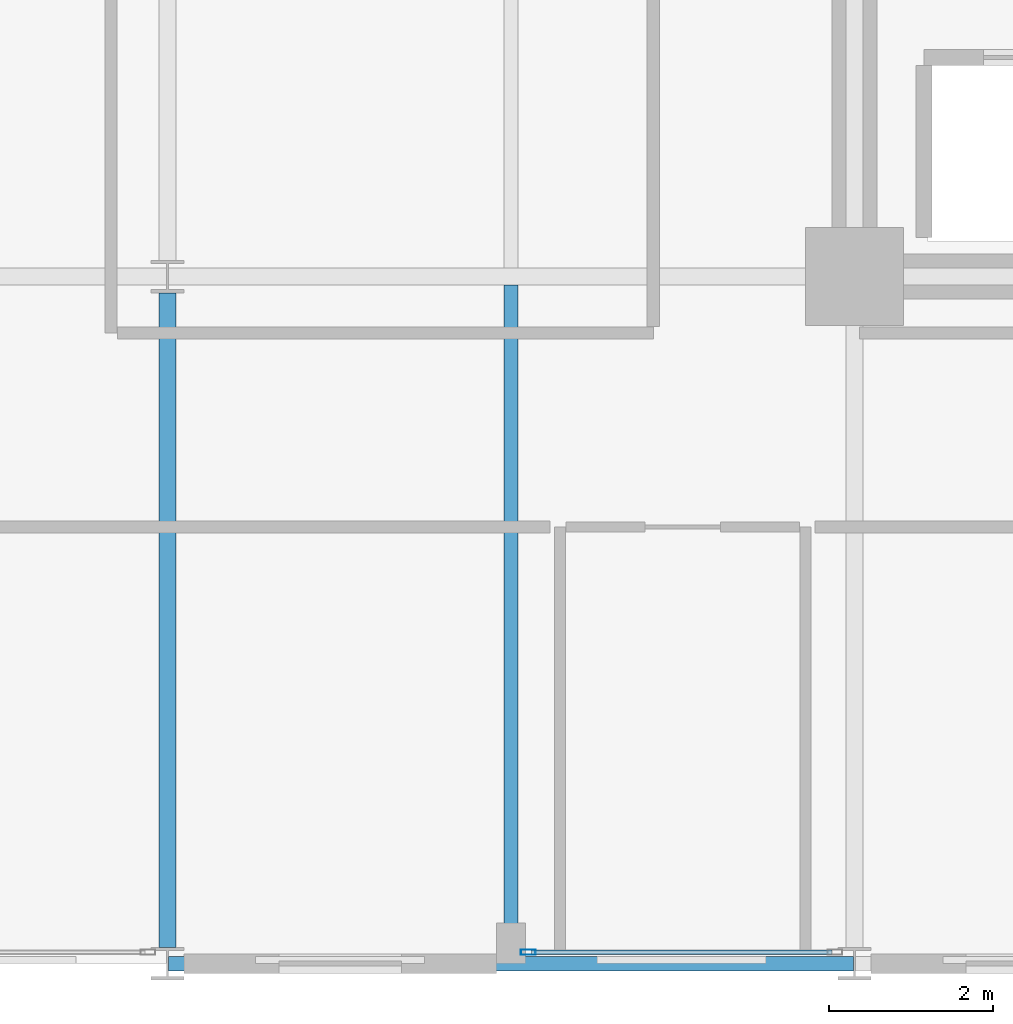
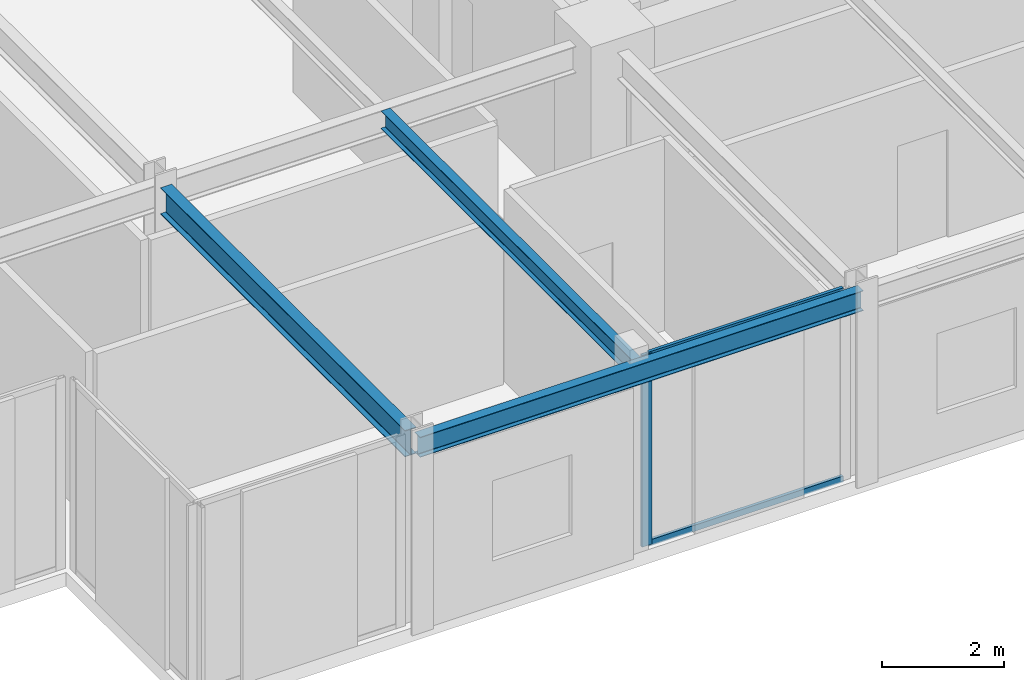
# One storey, part 3 of 29: 3 beams, 3 members, 1 element without a shape of its own.
"""IFC4 building model written with IfcOpenShell, lengths in metres."""

from ifc_helpers import new_model, si_unit, direction, frame, origin, origin_2d, place, context, subcontext, project, spatial, hollow_rectangle, i_section, extrude, material, layer, layer_set, material_profile, profile_set, type_object, element, aggregate, save


model = new_model("IFC4")

# Units and contexts
model_context = context("Model", 3, precision=1e-05, world=origin(), true_north=direction((0.0, 1.0)))
body_context = subcontext(model_context, "Body", "Model", "MODEL_VIEW")
ifc_project = project(units=[si_unit("LENGTHUNIT", "METRE"), si_unit("AREAUNIT", "SQUARE_METRE"), si_unit("VOLUMEUNIT", "CUBIC_METRE"), si_unit("PLANEANGLEUNIT", "RADIAN"), si_unit("MASSUNIT", "GRAM", prefix="KILO")], contexts=[model_context])

# Site, building, storey
site_placement = place(None, origin())
site = spatial("IfcSite", under=ifc_project, at=site_placement, CompositionType="ELEMENT")
building_placement = place(site_placement, origin())
building = spatial("IfcBuilding", under=site, at=building_placement, Name="Nerrivon Quay Data Exchange", CompositionType="ELEMENT")
storey_placement = place(building_placement, frame((0.0, 0.0, 121.300048828125)))
storey = spatial("IfcBuildingStorey", under=building, at=storey_placement, Name="L28", CompositionType="ELEMENT", Elevation=121.300048828125)

# Beams
ifc_material_1 = material(Name="Steel Grade 350", Category="steel")
ifc_material_profile_1 = material_profile(ifc_material_1, i_section(OverallWidth=0.208984375, OverallDepth=0.528076171875, WebThickness=0.009521484375, FlangeThickness=0.01318359375, FilletRadius=0.013916015625, at=origin_2d()), Name="530UB82.0")
ifc_profile_set_1 = profile_set([ifc_material_profile_1], Name="Steel Grade 350")
beam_type_1 = type_object("IfcBeamType", Name="BM-G4-530UB82", PredefinedType="BEAM", material=ifc_profile_set_1)
beam_1_placement = place(storey_placement, frame((8.39990234375, 0.199951171875, 3.56103515625), z_axis=(0.0, 1.0, 0.0), x_axis=(-1.0, 0.0, 0.0)))
element("IfcBeam", 1, at=beam_1_placement, inside=storey, type_object=beam_type_1, Name="L28 NS Girder X=8.4 (0.0..8.4)", PredefinedType="BEAM", context=body_context, shape_type="SweptSolid", body=[
    extrude(i_section(OverallWidth=0.208984375, OverallDepth=0.528076171875, WebThickness=0.009521484375, FlangeThickness=0.01318359375, FilletRadius=0.013916015625, at=origin_2d()), origin(), (0.0, 0.0, 1.0), 8.0),
])
ifc_material_profile_2 = material_profile(ifc_material_1, i_section(OverallWidth=0.1708984375, OverallDepth=0.35595703125, WebThickness=0.00732421875, FlangeThickness=0.011474609375, FilletRadius=0.011474609375, at=origin_2d()), Name="360UB50.7")
ifc_profile_set_2 = profile_set([ifc_material_profile_2], Name="Steel Grade 350")
beam_type_2 = type_object("IfcBeamType", Name="BM-J4-360UB51", PredefinedType="JOIST", material=ifc_profile_set_2)
beam_2_placement = place(storey_placement, frame((12.60009765625, 0.089111328125, 3.64697265625), z_axis=(0.0, 1.0, 0.0), x_axis=(-1.0, 0.0, 0.0)))
element("IfcBeam", 2, at=beam_2_placement, inside=storey, type_object=beam_type_2, Name="L28 Secondary Joist X=12.6 (0.0..8.4)", PredefinedType="JOIST", context=body_context, shape_type="SweptSolid", body=[
    extrude(i_section(OverallWidth=0.1708984375, OverallDepth=0.35595703125, WebThickness=0.00732421875, FlangeThickness=0.011474609375, FilletRadius=0.011474609375, at=origin_2d()), origin(), (0.0, 0.0, 1.0), 8.206298828125),
])
ifc_material_profile_3 = material_profile(ifc_material_1, i_section(OverallWidth=0.177978515625, OverallDepth=0.403076171875, WebThickness=0.007568359375, FlangeThickness=0.010986328125, FilletRadius=0.011474609375, at=origin_2d()), Name="410UB53.7")
ifc_profile_set_3 = profile_set([ifc_material_profile_3], Name="Steel Grade 350")
beam_type_3 = type_object("IfcBeamType", Name="BM-SP2-410UB54", PredefinedType="SPANDREL", material=ifc_profile_set_3)
beam_3_placement = place(storey_placement, frame((8.41259765625, 0.0, 3.62353515625), z_axis=(1.0, 0.0, 0.0), x_axis=(0.0, 1.0, 0.0)))
element("IfcBeam", 3, at=beam_3_placement, inside=storey, type_object=beam_type_3, Name="L28 EW Girder Y=0.0 (8.4..16.8)", PredefinedType="SPANDREL", context=body_context, shape_type="SweptSolid", body=[
    extrude(i_section(OverallWidth=0.177978515625, OverallDepth=0.403076171875, WebThickness=0.007568359375, FlangeThickness=0.010986328125, FilletRadius=0.011474609375, at=origin_2d()), origin(), (0.0, 0.0, 1.0), 8.375),
])

# Curtain wall, members
ifc_material_2 = material(Name="Anodised aluminium 6063-T6", Category="aluminium")
ifc_layer = layer(ifc_material_2, 0.2099609375)
ifc_layer_set = layer_set([ifc_layer], Name="Anodised aluminium 6063-T6")
curtain_wall_type = type_object("IfcCurtainWallType", Name="CW-SYS-02", PredefinedType="NOTDEFINED", material=ifc_layer_set)
curtain_wall_placement = place(storey_placement, origin())
curtain_wall = element("IfcCurtainWall", 4, at=curtain_wall_placement, inside=storey, type_object=curtain_wall_type, Name="L28 Unitised Curtain Wall 6", PredefinedType="NOTDEFINED")
ifc_material_profile_4 = material_profile(ifc_material_2, hollow_rectangle(XDim=0.06494140625, YDim=0.179931640625, WallThickness=0.00341796875, at=origin_2d()), Name="ALU-MULL-180x65")
ifc_profile_set_4 = profile_set([ifc_material_profile_4], Name="Anodised aluminium 6063-T6")
member_type_1 = type_object("IfcMemberType", Name="CWM-180x65", PredefinedType="MULLION", material=ifc_profile_set_4)
member_1_placement = place(storey_placement, frame((12.8125, 0.139892578125, 0.0), z_axis=(0.0, 0.0, 1.0), x_axis=(0.0, -1.0, 0.0)))
member_1 = element("IfcMember", 5, at=member_1_placement, type_object=member_type_1, Name="CW02 mullion 2", PredefinedType="MULLION", context=body_context, shape_type="SweptSolid", body=[
    extrude(hollow_rectangle(XDim=0.06494140625, YDim=0.179931640625, WallThickness=0.00341796875, at=origin_2d()), origin(), (0.0, 0.0, 1.0), 3.824951171875),
])
ifc_material_profile_5 = material_profile(ifc_material_2, hollow_rectangle(XDim=0.06005859375, YDim=0.1201171875, WallThickness=0.003173828125, at=origin_2d()), Name="ALU-TRAN-120x60")
ifc_profile_set_5 = profile_set([ifc_material_profile_5], Name="Anodised aluminium 6063-T6")
member_type_2 = type_object("IfcMemberType", Name="CWT-120x60", PredefinedType="USERDEFINED", material=ifc_profile_set_5)
member_2_placement = place(storey_placement, frame((16.52490234375, 0.139892578125, 0.032470703125), z_axis=(-1.0, 0.0, 0.0), x_axis=(0.0, -1.0, 0.0)))
member_2 = element("IfcMember", 6, at=member_2_placement, type_object=member_type_2, Name="CW02 transom 1.1", ObjectType="TRANSOM", PredefinedType="USERDEFINED", context=body_context, shape_type="SweptSolid", body=[
    extrude(hollow_rectangle(XDim=0.06005859375, YDim=0.1201171875, WallThickness=0.003173828125, at=origin_2d()), origin(), (0.0, 0.0, 1.0), 3.6748046875),
])
member_3_placement = place(storey_placement, frame((16.52490234375, 0.139892578125, 3.79248046875), z_axis=(-1.0, 0.0, 0.0), x_axis=(0.0, -1.0, 0.0)))
member_3 = element("IfcMember", 7, at=member_3_placement, type_object=member_type_2, Name="CW02 transom 1.2", ObjectType="TRANSOM", PredefinedType="USERDEFINED", context=body_context, shape_type="SweptSolid", body=[
    extrude(hollow_rectangle(XDim=0.06005859375, YDim=0.1201171875, WallThickness=0.003173828125, at=origin_2d()), origin(), (0.0, 0.0, 1.0), 3.6748046875),
])
aggregate(curtain_wall, [member_1, member_2, member_3])

save(model, "model.ifc")
